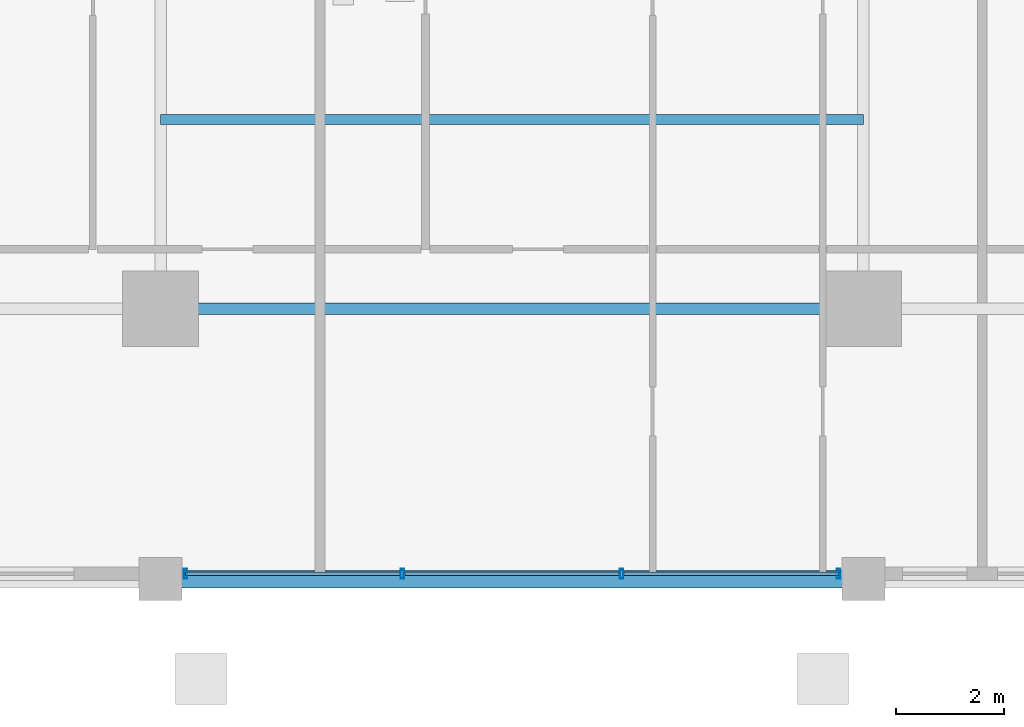
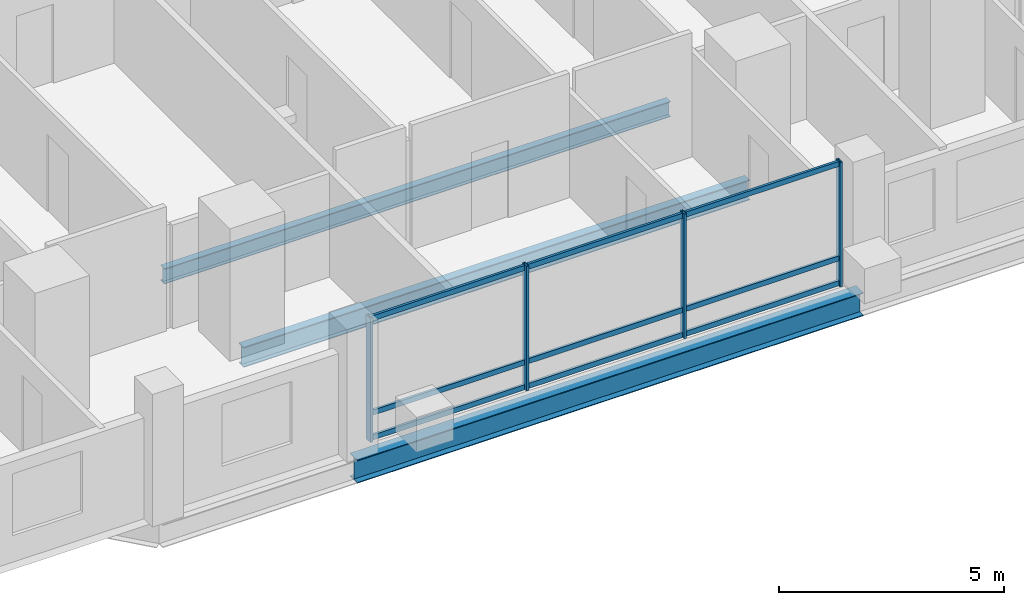
# One storey, part 2 of 24: 13 members, 3 beams, 1 element without a shape of its own.
"""IFC4 building model written with IfcOpenShell, lengths in metres."""

from ifc_helpers import new_model, si_unit, direction, frame, origin, origin_2d, place, context, subcontext, project, spatial, hollow_rectangle, i_section, extrude, material, layer, layer_set, material_profile, profile_set, type_object, element, aggregate, save


model = new_model("IFC4")

# Units and contexts
model_context = context("Model", 3, precision=1e-05, world=origin(), true_north=direction((0.0, 1.0)))
body_context = subcontext(model_context, "Body", "Model", "MODEL_VIEW")
ifc_project = project(units=[si_unit("LENGTHUNIT", "METRE"), si_unit("AREAUNIT", "SQUARE_METRE"), si_unit("VOLUMEUNIT", "CUBIC_METRE"), si_unit("PLANEANGLEUNIT", "RADIAN"), si_unit("MASSUNIT", "GRAM", prefix="KILO")], contexts=[model_context])

# Site, building, storey
site_placement = place(None, origin())
site = spatial("IfcSite", under=ifc_project, at=site_placement, CompositionType="ELEMENT")
building_placement = place(site_placement, origin())
building = spatial("IfcBuilding", under=site, at=building_placement, Name="Barlavira Tower and Art Museum", CompositionType="ELEMENT")
storey_placement = place(building_placement, frame((0.0, 0.0, 43.199951171875)))
storey = spatial("IfcBuildingStorey", under=building, at=storey_placement, Name="L09", CompositionType="ELEMENT", Elevation=43.199951171875)

# Curtain wall, members
ifc_material_1 = material(Name="Low-iron coastal laminated glass", Category="glass")
ifc_layer = layer(ifc_material_1, 0.179931640625, Name="Low-iron coastal laminated glass")
ifc_layer_set = layer_set([ifc_layer], Name="Low-iron coastal laminated glass")
curtain_wall_type = type_object("IfcCurtainWallType", Name="Pale-Metal Unitised Curtain Wall Zone 1", PredefinedType="NOTDEFINED", material=ifc_layer_set)
curtain_wall_placement = place(storey_placement, origin())
curtain_wall = element("IfcCurtainWall", 1, at=curtain_wall_placement, inside=storey, type_object=curtain_wall_type, Name="L09 Curtain Wall CW1-L09-S-B3", PredefinedType="NOTDEFINED")
ifc_material_2 = material(Name="Pale anodised aluminium", Category="aluminium")
ifc_material_profile_1 = material_profile(ifc_material_2, hollow_rectangle(XDim=0.06494140625, YDim=0.179931640625, WallThickness=0.00390625, at=origin_2d()), Name="ALU-MULL 65x180x4")
ifc_profile_set_1 = profile_set([ifc_material_profile_1], Name="Pale anodised aluminium")
member_type_1 = type_object("IfcMemberType", Name="Curtain Wall Pale-Metal Mullion 65x180", PredefinedType="MULLION", material=ifc_profile_set_1)
member_1_placement = place(storey_placement, frame((-6.034912109375, -24.89990234375, 0.0), z_axis=(0.0, 0.0, 1.0), x_axis=(1.0, 0.0, 0.0)))
member_1 = element("IfcMember", 2, at=member_1_placement, type_object=member_type_1, Name="CW1-L09-S-B3 Mullion 0", PredefinedType="MULLION", context=body_context, shape_type="SweptSolid", body=[
    extrude(hollow_rectangle(XDim=0.06494140625, YDim=0.179931640625, WallThickness=0.00390625, at=origin_2d()), origin(), (0.0, 0.0, 1.0), 3.380126953125),
])
member_2_placement = place(storey_placement, frame((-2.026611328125, -24.89990234375, 0.0), z_axis=(0.0, 0.0, 1.0), x_axis=(1.0, 0.0, 0.0)))
member_2 = element("IfcMember", 3, at=member_2_placement, type_object=member_type_1, Name="CW1-L09-S-B3 Mullion 1", PredefinedType="MULLION", context=body_context, shape_type="SweptSolid", body=[
    extrude(hollow_rectangle(XDim=0.06494140625, YDim=0.179931640625, WallThickness=0.00390625, at=origin_2d()), origin(), (0.0, 0.0, 1.0), 3.380126953125),
])
member_3_placement = place(storey_placement, frame((2.026611328125, -24.89990234375, 0.0), z_axis=(0.0, 0.0, 1.0), x_axis=(1.0, 0.0, 0.0)))
member_3 = element("IfcMember", 4, at=member_3_placement, type_object=member_type_1, Name="CW1-L09-S-B3 Mullion 2", PredefinedType="MULLION", context=body_context, shape_type="SweptSolid", body=[
    extrude(hollow_rectangle(XDim=0.06494140625, YDim=0.179931640625, WallThickness=0.00390625, at=origin_2d()), origin(), (0.0, 0.0, 1.0), 3.380126953125),
])
member_4_placement = place(storey_placement, frame((6.034912109375, -24.89990234375, 0.0), z_axis=(0.0, 0.0, 1.0), x_axis=(1.0, 0.0, 0.0)))
member_4 = element("IfcMember", 5, at=member_4_placement, type_object=member_type_1, Name="CW1-L09-S-B3 Mullion 3", PredefinedType="MULLION", context=body_context, shape_type="SweptSolid", body=[
    extrude(hollow_rectangle(XDim=0.06494140625, YDim=0.179931640625, WallThickness=0.00390625, at=origin_2d()), origin(), (0.0, 0.0, 1.0), 3.380126953125),
])
ifc_material_profile_2 = material_profile(ifc_material_2, hollow_rectangle(XDim=0.06494140625, YDim=0.139892578125, WallThickness=0.00390625, at=origin_2d()), Name="ALU-TRAN 65x140x4")
ifc_profile_set_2 = profile_set([ifc_material_profile_2], Name="Pale anodised aluminium")
member_type_2 = type_object("IfcMemberType", Name="Curtain Wall Pale-Metal Transom 65x140", PredefinedType="USERDEFINED", material=ifc_profile_set_2)
member_5_placement = place(storey_placement, frame((-6.034912109375, -24.89990234375, 0.070068359375), z_axis=(1.0, 0.0, 0.0), x_axis=(0.0, 1.0, 0.0)))
member_5 = element("IfcMember", 6, at=member_5_placement, type_object=member_type_2, Name="CW1-L09-S-B3 Transom 0.1", ObjectType="TRANSOM", PredefinedType="USERDEFINED", context=body_context, shape_type="SweptSolid", body=[
    extrude(hollow_rectangle(XDim=0.06494140625, YDim=0.139892578125, WallThickness=0.00390625, at=origin_2d()), origin(), (0.0, 0.0, 1.0), 3.963134765625),
])
member_6_placement = place(storey_placement, frame((-6.034912109375, -24.89990234375, 0.744140625), z_axis=(1.0, 0.0, 0.0), x_axis=(0.0, 1.0, 0.0)))
member_6 = element("IfcMember", 7, at=member_6_placement, type_object=member_type_2, Name="CW1-L09-S-B3 Transom 0.2", ObjectType="TRANSOM", PredefinedType="USERDEFINED", context=body_context, shape_type="SweptSolid", body=[
    extrude(hollow_rectangle(XDim=0.06494140625, YDim=0.139892578125, WallThickness=0.00390625, at=origin_2d()), origin(), (0.0, 0.0, 1.0), 3.963134765625),
])
member_7_placement = place(storey_placement, frame((-6.034912109375, -24.89990234375, 3.31005859375), z_axis=(1.0, 0.0, 0.0), x_axis=(0.0, 1.0, 0.0)))
member_7 = element("IfcMember", 8, at=member_7_placement, type_object=member_type_2, Name="CW1-L09-S-B3 Transom 0.3", ObjectType="TRANSOM", PredefinedType="USERDEFINED", context=body_context, shape_type="SweptSolid", body=[
    extrude(hollow_rectangle(XDim=0.06494140625, YDim=0.139892578125, WallThickness=0.00390625, at=origin_2d()), origin(), (0.0, 0.0, 1.0), 3.963134765625),
])
member_8_placement = place(storey_placement, frame((-1.981689453125, -24.89990234375, 0.070068359375), z_axis=(1.0, 0.0, 0.0), x_axis=(0.0, 1.0, 0.0)))
member_8 = element("IfcMember", 9, at=member_8_placement, type_object=member_type_2, Name="CW1-L09-S-B3 Transom 1.1", ObjectType="TRANSOM", PredefinedType="USERDEFINED", context=body_context, shape_type="SweptSolid", body=[
    extrude(hollow_rectangle(XDim=0.06494140625, YDim=0.139892578125, WallThickness=0.00390625, at=origin_2d()), origin(), (0.0, 0.0, 1.0), 3.96337890625),
])
member_9_placement = place(storey_placement, frame((-1.981689453125, -24.89990234375, 0.744140625), z_axis=(1.0, 0.0, 0.0), x_axis=(0.0, 1.0, 0.0)))
member_9 = element("IfcMember", 10, at=member_9_placement, type_object=member_type_2, Name="CW1-L09-S-B3 Transom 1.2", ObjectType="TRANSOM", PredefinedType="USERDEFINED", context=body_context, shape_type="SweptSolid", body=[
    extrude(hollow_rectangle(XDim=0.06494140625, YDim=0.139892578125, WallThickness=0.00390625, at=origin_2d()), origin(), (0.0, 0.0, 1.0), 3.96337890625),
])
member_10_placement = place(storey_placement, frame((-1.981689453125, -24.89990234375, 3.31005859375), z_axis=(1.0, 0.0, 0.0), x_axis=(0.0, 1.0, 0.0)))
member_10 = element("IfcMember", 11, at=member_10_placement, type_object=member_type_2, Name="CW1-L09-S-B3 Transom 1.3", ObjectType="TRANSOM", PredefinedType="USERDEFINED", context=body_context, shape_type="SweptSolid", body=[
    extrude(hollow_rectangle(XDim=0.06494140625, YDim=0.139892578125, WallThickness=0.00390625, at=origin_2d()), origin(), (0.0, 0.0, 1.0), 3.96337890625),
])
member_11_placement = place(storey_placement, frame((2.07177734375, -24.89990234375, 0.070068359375), z_axis=(1.0, 0.0, 0.0), x_axis=(0.0, 1.0, 0.0)))
member_11 = element("IfcMember", 12, at=member_11_placement, type_object=member_type_2, Name="CW1-L09-S-B3 Transom 2.1", ObjectType="TRANSOM", PredefinedType="USERDEFINED", context=body_context, shape_type="SweptSolid", body=[
    extrude(hollow_rectangle(XDim=0.06494140625, YDim=0.139892578125, WallThickness=0.00390625, at=origin_2d()), origin(), (0.0, 0.0, 1.0), 3.963134765625),
])
member_12_placement = place(storey_placement, frame((2.07177734375, -24.89990234375, 0.744140625), z_axis=(1.0, 0.0, 0.0), x_axis=(0.0, 1.0, 0.0)))
member_12 = element("IfcMember", 13, at=member_12_placement, type_object=member_type_2, Name="CW1-L09-S-B3 Transom 2.2", ObjectType="TRANSOM", PredefinedType="USERDEFINED", context=body_context, shape_type="SweptSolid", body=[
    extrude(hollow_rectangle(XDim=0.06494140625, YDim=0.139892578125, WallThickness=0.00390625, at=origin_2d()), origin(), (0.0, 0.0, 1.0), 3.963134765625),
])
member_13_placement = place(storey_placement, frame((2.07177734375, -24.89990234375, 3.31005859375), z_axis=(1.0, 0.0, 0.0), x_axis=(0.0, 1.0, 0.0)))
member_13 = element("IfcMember", 14, at=member_13_placement, type_object=member_type_2, Name="CW1-L09-S-B3 Transom 2.3", ObjectType="TRANSOM", PredefinedType="USERDEFINED", context=body_context, shape_type="SweptSolid", body=[
    extrude(hollow_rectangle(XDim=0.06494140625, YDim=0.139892578125, WallThickness=0.00390625, at=origin_2d()), origin(), (0.0, 0.0, 1.0), 3.963134765625),
])
aggregate(curtain_wall, [member_1, member_2, member_3, member_4, member_5, member_6, member_7, member_8, member_9, member_10, member_11, member_12, member_13])

# Beams
ifc_material_3 = material(Name="Steel S355", Category="steel")
ifc_material_profile_3 = material_profile(ifc_material_3, i_section(OverallWidth=0.327880859375, OverallDepth=0.62890625, WebThickness=0.013916015625, FlangeThickness=0.021484375, at=origin_2d()), Name="W610x174.0")
ifc_profile_set_3 = profile_set([ifc_material_profile_3], Name="Steel S355")
beam_type_1 = type_object("IfcBeamType", Name="Perimeter Spandrel Edge Beam W610x174 Steel S355", PredefinedType="SPANDREL", material=ifc_profile_set_3)
beam_1_placement = place(storey_placement, frame((-6.5, -25.0, -0.534423828125), z_axis=(1.0, 0.0, 0.0), x_axis=(0.0, 1.0, 0.0)))
element("IfcBeam", 15, at=beam_1_placement, inside=storey, type_object=beam_type_1, Name="L09 Spandrel 2", PredefinedType="SPANDREL", context=body_context, shape_type="SweptSolid", body=[
    extrude(i_section(OverallWidth=0.327880859375, OverallDepth=0.62890625, WebThickness=0.013916015625, FlangeThickness=0.021484375, at=origin_2d()), origin(), (0.0, 0.0, 1.0), 13.0),
])
ifc_material_profile_4 = material_profile(ifc_material_3, i_section(OverallWidth=0.180908203125, OverallDepth=0.4169921875, WebThickness=0.010986328125, FlangeThickness=0.018310546875, at=origin_2d()), Name="W410x85.0")
ifc_profile_set_4 = profile_set([ifc_material_profile_4], Name="Steel S355")
beam_type_2 = type_object("IfcBeamType", Name="Zone 1 Composite Floor Joist W410x85 Steel S355", PredefinedType="JOIST", material=ifc_profile_set_4)
beam_2_placement = place(storey_placement, frame((-6.5, -16.5, -0.428466796875), z_axis=(1.0, 0.0, 0.0), x_axis=(0.0, 1.0, 0.0)))
element("IfcBeam", 16, at=beam_2_placement, inside=storey, type_object=beam_type_2, Name="L09 Joist C1", PredefinedType="JOIST", context=body_context, shape_type="SweptSolid", body=[
    extrude(i_section(OverallWidth=0.180908203125, OverallDepth=0.4169921875, WebThickness=0.010986328125, FlangeThickness=0.018310546875, at=origin_2d()), origin(), (0.0, 0.0, 1.0), 13.0),
])
ifc_material_profile_5 = material_profile(ifc_material_3, i_section(OverallWidth=0.214111328125, OverallDepth=0.549072265625, WebThickness=0.0146484375, FlangeThickness=0.023681640625, at=origin_2d()), Name="W530x138.0")
ifc_profile_set_5 = profile_set([ifc_material_profile_5], Name="Steel S355")
beam_type_3 = type_object("IfcBeamType", Name="Zone 1 Primary Floor Girder W530x138 Steel S355", PredefinedType="BEAM", material=ifc_profile_set_5)
beam_3_placement = place(storey_placement, frame((-6.5, -20.0, -0.494384765625), z_axis=(1.0, 0.0, 0.0), x_axis=(0.0, 1.0, 0.0)))
element("IfcBeam", 17, at=beam_3_placement, inside=storey, type_object=beam_type_3, Name="L09 Girder M-S2", PredefinedType="BEAM", context=body_context, shape_type="SweptSolid", body=[
    extrude(i_section(OverallWidth=0.214111328125, OverallDepth=0.549072265625, WebThickness=0.0146484375, FlangeThickness=0.023681640625, at=origin_2d()), origin(), (0.0, 0.0, 1.0), 13.0),
])

save(model, "model.ifc")
